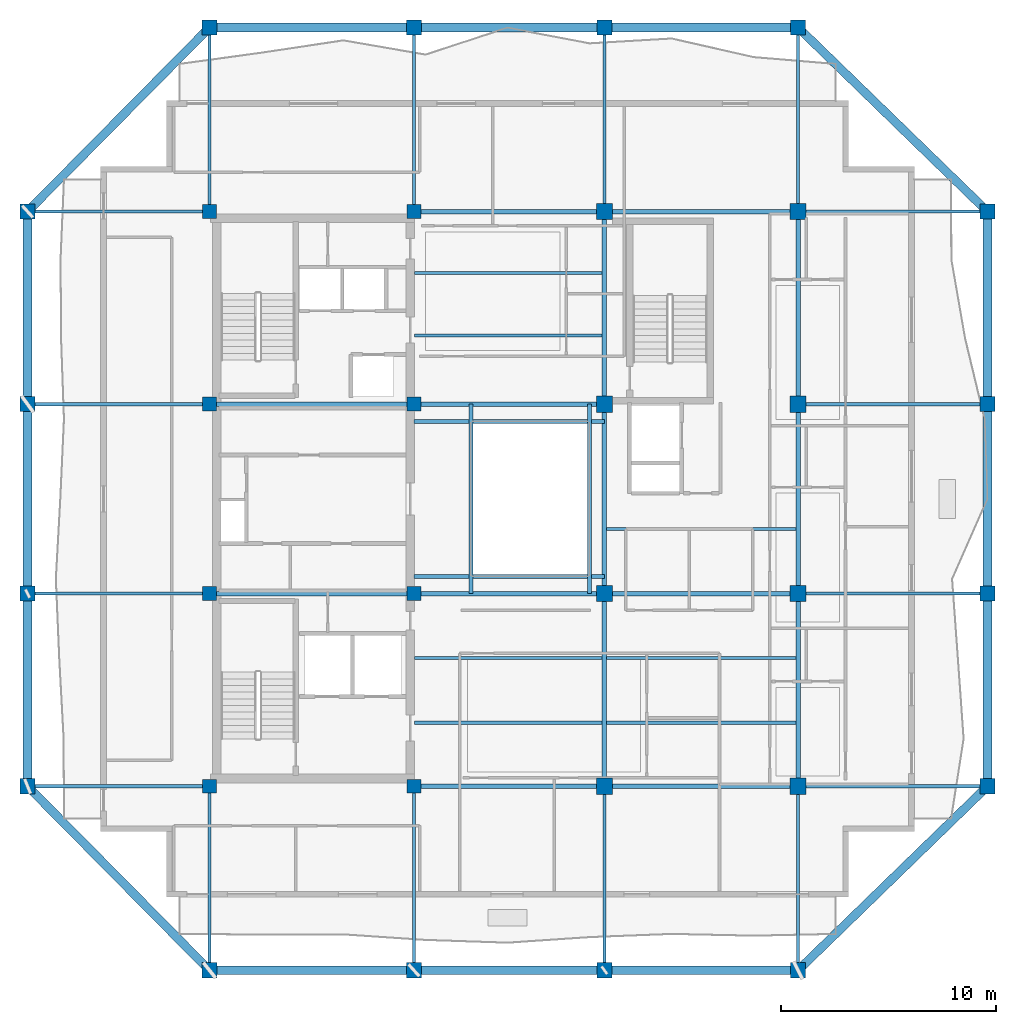
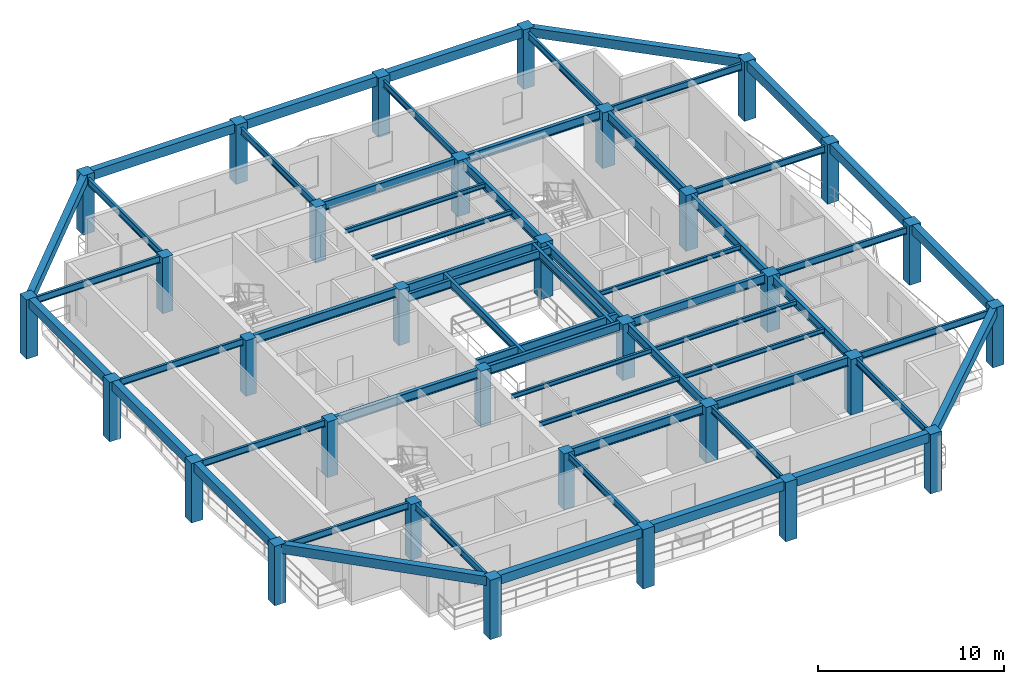
# One storey, part 1 of 10: 58 beams, 32 columns.
"""IFC4 building model written with IfcOpenShell, lengths in metres."""

from ifc_helpers import new_model, si_unit, direction, frame, origin, origin_2d, place, context, subcontext, project, spatial, rectangle, i_section, extrude, material, material_profile, profile_set, type_object, element, save


model = new_model("IFC4")

# Units and contexts
model_context = context("Model", 3, precision=1e-05, world=origin(), true_north=direction((0.0, 1.0)))
body_context = subcontext(model_context, "Body", "Model", "MODEL_VIEW")
ifc_project = project(units=[si_unit("LENGTHUNIT", "METRE"), si_unit("AREAUNIT", "SQUARE_METRE"), si_unit("VOLUMEUNIT", "CUBIC_METRE"), si_unit("PLANEANGLEUNIT", "RADIAN"), si_unit("MASSUNIT", "GRAM", prefix="KILO")], contexts=[model_context])

# Site, building, storey
site_placement = place(None, origin())
site = spatial("IfcSite", under=ifc_project, at=site_placement, CompositionType="ELEMENT")
building_placement = place(site_placement, origin())
building = spatial("IfcBuilding", under=site, at=building_placement, Name="Kundavana Baori Tower", CompositionType="ELEMENT")
storey_placement = place(building_placement, frame((0.0, 0.0, 288.199951171875)))
storey = spatial("IfcBuildingStorey", under=building, at=storey_placement, Name="L71", CompositionType="ELEMENT", Elevation=288.199951171875)

# Columns
ifc_material_1 = material(Name="Concrete C50/60", Category="concrete")
ifc_material_profile_1 = material_profile(ifc_material_1, rectangle(XDim=0.699951171875, YDim=0.699951171875, at=origin_2d()), Name="RC PF 700x700")
ifc_profile_set_1 = profile_set([ifc_material_profile_1], Name="Concrete C50/60")
column_type_1 = type_object("IfcColumnType", Name="COL-PF-700", PredefinedType="COLUMN", material=ifc_profile_set_1)
for number, where, z_axis, x_axis, name in (
    (1, (15.449951171875, 6.699951171875, 0.0), (0.0, 0.0, 1.0), (1.0, 0.0, 0.0), "L71 Stone-Clad Perimeter Frame Column PF-S1"),
    (2, (15.449951171875, 50.5, 0.0), (0.0, 0.0, 1.0), (1.0, 0.0, 0.0), "L71 Stone-Clad Perimeter Frame Column PF-N1"),
    (3, (24.949951171875, 6.699951171875, 0.0), (0.0, 0.0, 1.0), (1.0, 0.0, 0.0), "L71 Stone-Clad Perimeter Frame Column PF-S2"),
    (4, (24.949951171875, 50.5, 0.0), (0.0, 0.0, 1.0), (1.0, 0.0, 0.0), "L71 Stone-Clad Perimeter Frame Column PF-N2"),
    (5, (33.800048828125, 6.699951171875, 0.0), (0.0, 0.0, 1.0), (1.0, 0.0, 0.0), "L71 Stone-Clad Perimeter Frame Column PF-S3"),
    (6, (33.800048828125, 50.5, 0.0), (0.0, 0.0, 1.0), (1.0, 0.0, 0.0), "L71 Stone-Clad Perimeter Frame Column PF-N3"),
    (7, (42.800048828125, 6.699951171875, 0.0), (0.0, 0.0, 1.0), (1.0, 0.0, 0.0), "L71 Stone-Clad Perimeter Frame Column PF-S4"),
    (8, (42.800048828125, 50.5, 0.0), (0.0, 0.0, 1.0), (1.0, 0.0, 0.0), "L71 Stone-Clad Perimeter Frame Column PF-N4"),
    (9, (7.0, 15.25, 0.0), (0.0, 0.0, 1.0), (1.0, 0.0, 0.0), "L71 Stone-Clad Perimeter Frame Column PF-W1"),
    (10, (51.60009765625, 15.25, 0.0), (0.0, 0.0, 1.0), (1.0, 0.0, 0.0), "L71 Stone-Clad Perimeter Frame Column PF-E1"),
    (11, (7.0, 24.199951171875, 0.0), (0.0, 0.0, 1.0), (1.0, 0.0, 0.0), "L71 Stone-Clad Perimeter Frame Column PF-W2"),
    (12, (51.60009765625, 24.199951171875, 0.0), (0.0, 0.0, 1.0), (1.0, 0.0, 0.0), "L71 Stone-Clad Perimeter Frame Column PF-E2"),
    (13, (7.0, 33.0, 0.0), (0.0, 0.0, 1.0), (1.0, 0.0, 0.0), "L71 Stone-Clad Perimeter Frame Column PF-W3"),
    (14, (51.60009765625, 33.0, 0.0), (0.0, 0.0, 1.0), (1.0, 0.0, 0.0), "L71 Stone-Clad Perimeter Frame Column PF-E3"),
    (15, (7.0, 41.949951171875, 0.0), (0.0, 0.0, 1.0), (1.0, 0.0, 0.0), "L71 Stone-Clad Perimeter Frame Column PF-W4"),
    (16, (51.60009765625, 41.949951171875, 0.0), (0.0, 0.0, 1.0), (1.0, 0.0, 0.0), "L71 Stone-Clad Perimeter Frame Column PF-E4"),
):
    element("IfcColumn", number, at=place(storey_placement, frame(where, z_axis=z_axis, x_axis=x_axis)), inside=storey, type_object=column_type_1, Name=name, PredefinedType="COLUMN", context=body_context, shape_type="SweptSolid", body=[
        extrude(rectangle(XDim=0.699951171875, YDim=0.699951171875, at=origin_2d()), origin(), (0.0, 0.0, 1.0), 3.900146484375),
    ])
ifc_material_2 = material(Name="Concrete C50/60", Category="concrete")
ifc_material_profile_2 = material_profile(ifc_material_2, rectangle(XDim=0.64990234375, YDim=0.64990234375, at=origin_2d()), Name="RC 650x650")
ifc_profile_set_2 = profile_set([ifc_material_profile_2], Name="Concrete C50/60")
column_type_2 = type_object("IfcColumnType", Name="COL-RC-650", PredefinedType="COLUMN", material=ifc_profile_set_2)
for number, where, z_axis, x_axis, name in (
    (17, (15.449951171875, 15.25, 0.0), (0.0, 0.0, 1.0), (1.0, 0.0, 0.0), "L71 Interior Column IC-3C"),
    (18, (15.449951171875, 24.199951171875, 0.0), (0.0, 0.0, 1.0), (1.0, 0.0, 0.0), "L71 Interior Column IC-3D"),
    (19, (15.449951171875, 33.0, 0.0), (0.0, 0.0, 1.0), (1.0, 0.0, 0.0), "L71 Interior Column IC-3E"),
    (20, (15.449951171875, 41.949951171875, 0.0), (0.0, 0.0, 1.0), (1.0, 0.0, 0.0), "L71 Interior Column IC-3F"),
    (21, (24.949951171875, 15.25, 0.0), (0.0, 0.0, 1.0), (1.0, 0.0, 0.0), "L71 Interior Column IC-4C"),
    (22, (24.949951171875, 24.199951171875, 0.0), (0.0, 0.0, 1.0), (1.0, 0.0, 0.0), "L71 Interior Column IC-4D"),
    (23, (24.949951171875, 33.0, 0.0), (0.0, 0.0, 1.0), (1.0, 0.0, 0.0), "L71 Interior Column IC-4E"),
    (24, (24.949951171875, 41.949951171875, 0.0), (0.0, 0.0, 1.0), (1.0, 0.0, 0.0), "L71 Interior Column IC-4F"),
):
    element("IfcColumn", number, at=place(storey_placement, frame(where, z_axis=z_axis, x_axis=x_axis)), inside=storey, type_object=column_type_2, Name=name, PredefinedType="COLUMN", context=body_context, shape_type="SweptSolid", body=[
        extrude(rectangle(XDim=0.64990234375, YDim=0.64990234375, at=origin_2d()), origin(), (0.0, 0.0, 1.0), 3.66015625),
    ])
ifc_material_3 = material(Name="Concrete C50/60", Category="concrete")
ifc_material_profile_3 = material_profile(ifc_material_3, rectangle(XDim=0.75, YDim=0.75, at=origin_2d()), Name="RC 750x750")
ifc_profile_set_3 = profile_set([ifc_material_profile_3], Name="Concrete C50/60")
column_type_3 = type_object("IfcColumnType", Name="COL-RC-750", PredefinedType="COLUMN", material=ifc_profile_set_3)
for number, where, z_axis, x_axis, name in (
    (25, (33.800048828125, 15.25, 0.0), (0.0, 0.0, 1.0), (1.0, 0.0, 0.0), "L71 Interior Column IC-5C"),
    (26, (33.800048828125, 24.199951171875, 0.0), (0.0, 0.0, 1.0), (1.0, 0.0, 0.0), "L71 Interior Column IC-5D"),
    (27, (33.800048828125, 33.0, 0.0), (0.0, 0.0, 1.0), (1.0, 0.0, 0.0), "L71 Interior Column IC-5E"),
    (28, (33.800048828125, 41.949951171875, 0.0), (0.0, 0.0, 1.0), (1.0, 0.0, 0.0), "L71 Interior Column IC-5F"),
    (29, (42.800048828125, 15.25, 0.0), (0.0, 0.0, 1.0), (1.0, 0.0, 0.0), "L71 Interior Column IC-6C"),
    (30, (42.800048828125, 24.199951171875, 0.0), (0.0, 0.0, 1.0), (1.0, 0.0, 0.0), "L71 Interior Column IC-6D"),
    (31, (42.800048828125, 33.0, 0.0), (0.0, 0.0, 1.0), (1.0, 0.0, 0.0), "L71 Interior Column IC-6E"),
    (32, (42.800048828125, 41.949951171875, 0.0), (0.0, 0.0, 1.0), (1.0, 0.0, 0.0), "L71 Interior Column IC-6F"),
):
    element("IfcColumn", number, at=place(storey_placement, frame(where, z_axis=z_axis, x_axis=x_axis)), inside=storey, type_object=column_type_3, Name=name, PredefinedType="COLUMN", context=body_context, shape_type="SweptSolid", body=[
        extrude(rectangle(XDim=0.75, YDim=0.75, at=origin_2d()), origin(), (0.0, 0.0, 1.0), 3.66015625),
    ])

# Beams
ifc_material_4 = material(Name="Concrete C50/60", Category="concrete")
ifc_material_profile_4 = material_profile(ifc_material_4, rectangle(XDim=0.39990234375, YDim=0.60009765625, at=origin_2d()), Name="RC BM 400x600")
ifc_profile_set_4 = profile_set([ifc_material_profile_4], Name="Concrete C50/60")
beam_type_1 = type_object("IfcBeamType", Name="BM-PF-600", PredefinedType="SPANDREL", material=ifc_profile_set_4)
beam_1_placement = place(storey_placement, frame((15.449951171875, 6.699951171875, 3.60009765625), z_axis=(1.0, 0.0, 0.0), x_axis=(0.0, 1.0, 0.0)))
element("IfcBeam", 33, at=beam_1_placement, inside=storey, type_object=beam_type_1, Name="L71 Perimeter Frame Ring Beam S1", PredefinedType="SPANDREL", context=body_context, shape_type="SweptSolid", body=[
    extrude(rectangle(XDim=0.39990234375, YDim=0.60009765625, at=origin_2d()), origin(), (0.0, 0.0, 1.0), 9.5),
])
beam_2_placement = place(storey_placement, frame((24.949951171875, 6.699951171875, 3.60009765625), z_axis=(1.0, 0.0, 0.0), x_axis=(0.0, 1.0, 0.0)))
element("IfcBeam", 34, at=beam_2_placement, inside=storey, type_object=beam_type_1, Name="L71 Perimeter Frame Ring Beam S2", PredefinedType="SPANDREL", context=body_context, shape_type="SweptSolid", body=[
    extrude(rectangle(XDim=0.39990234375, YDim=0.60009765625, at=origin_2d()), origin(), (0.0, 0.0, 1.0), 8.85009765625),
])
beam_3_placement = place(storey_placement, frame((33.800048828125, 6.699951171875, 3.60009765625), z_axis=(1.0, 0.0, 0.0), x_axis=(0.0, 1.0, 0.0)))
element("IfcBeam", 35, at=beam_3_placement, inside=storey, type_object=beam_type_1, Name="L71 Perimeter Frame Ring Beam S3", PredefinedType="SPANDREL", context=body_context, shape_type="SweptSolid", body=[
    extrude(rectangle(XDim=0.39990234375, YDim=0.60009765625, at=origin_2d()), origin(), (0.0, 0.0, 1.0), 9.0),
])
beam_4_placement = place(storey_placement, frame((15.449951171875, 50.5, 3.60009765625), z_axis=(1.0, 0.0, 0.0), x_axis=(0.0, 1.0, 0.0)))
element("IfcBeam", 36, at=beam_4_placement, inside=storey, type_object=beam_type_1, Name="L71 Perimeter Frame Ring Beam N1", PredefinedType="SPANDREL", context=body_context, shape_type="SweptSolid", body=[
    extrude(rectangle(XDim=0.39990234375, YDim=0.60009765625, at=origin_2d()), origin(), (0.0, 0.0, 1.0), 9.5),
])
beam_5_placement = place(storey_placement, frame((24.949951171875, 50.5, 3.60009765625), z_axis=(1.0, 0.0, 0.0), x_axis=(0.0, 1.0, 0.0)))
element("IfcBeam", 37, at=beam_5_placement, inside=storey, type_object=beam_type_1, Name="L71 Perimeter Frame Ring Beam N2", PredefinedType="SPANDREL", context=body_context, shape_type="SweptSolid", body=[
    extrude(rectangle(XDim=0.39990234375, YDim=0.60009765625, at=origin_2d()), origin(), (0.0, 0.0, 1.0), 8.85009765625),
])
beam_6_placement = place(storey_placement, frame((33.800048828125, 50.5, 3.60009765625), z_axis=(1.0, 0.0, 0.0), x_axis=(0.0, 1.0, 0.0)))
element("IfcBeam", 38, at=beam_6_placement, inside=storey, type_object=beam_type_1, Name="L71 Perimeter Frame Ring Beam N3", PredefinedType="SPANDREL", context=body_context, shape_type="SweptSolid", body=[
    extrude(rectangle(XDim=0.39990234375, YDim=0.60009765625, at=origin_2d()), origin(), (0.0, 0.0, 1.0), 9.0),
])
beam_7_placement = place(storey_placement, frame((7.0, 15.25, 3.60009765625), z_axis=(0.0, 1.0, 0.0), x_axis=(-1.0, 0.0, 0.0)))
element("IfcBeam", 39, at=beam_7_placement, inside=storey, type_object=beam_type_1, Name="L71 Perimeter Frame Ring Beam W1", PredefinedType="SPANDREL", context=body_context, shape_type="SweptSolid", body=[
    extrude(rectangle(XDim=0.39990234375, YDim=0.60009765625, at=origin_2d()), origin(), (0.0, 0.0, 1.0), 8.949951171875),
])
beam_8_placement = place(storey_placement, frame((7.0, 24.199951171875, 3.60009765625), z_axis=(0.0, 1.0, 0.0), x_axis=(-1.0, 0.0, 0.0)))
element("IfcBeam", 40, at=beam_8_placement, inside=storey, type_object=beam_type_1, Name="L71 Perimeter Frame Ring Beam W2", PredefinedType="SPANDREL", context=body_context, shape_type="SweptSolid", body=[
    extrude(rectangle(XDim=0.39990234375, YDim=0.60009765625, at=origin_2d()), origin(), (0.0, 0.0, 1.0), 8.800048828125),
])
for number, where, z_axis, x_axis, name in (
    (41, (7.0, 33.0, 3.60009765625), (0.0, 1.0, 0.0), (-1.0, 0.0, 0.0), "L71 Perimeter Frame Ring Beam W3"),
    (42, (51.60009765625, 15.25, 3.60009765625), (0.0, 1.0, 0.0), (-1.0, 0.0, 0.0), "L71 Perimeter Frame Ring Beam E1"),
):
    element("IfcBeam", number, at=place(storey_placement, frame(where, z_axis=z_axis, x_axis=x_axis)), inside=storey, type_object=beam_type_1, Name=name, PredefinedType="SPANDREL", context=body_context, shape_type="SweptSolid", body=[
        extrude(rectangle(XDim=0.39990234375, YDim=0.60009765625, at=origin_2d()), origin(), (0.0, 0.0, 1.0), 8.949951171875),
    ])
beam_9_placement = place(storey_placement, frame((51.60009765625, 24.199951171875, 3.60009765625), z_axis=(0.0, 1.0, 0.0), x_axis=(-1.0, 0.0, 0.0)))
element("IfcBeam", 43, at=beam_9_placement, inside=storey, type_object=beam_type_1, Name="L71 Perimeter Frame Ring Beam E2", PredefinedType="SPANDREL", context=body_context, shape_type="SweptSolid", body=[
    extrude(rectangle(XDim=0.39990234375, YDim=0.60009765625, at=origin_2d()), origin(), (0.0, 0.0, 1.0), 8.800048828125),
])
beam_10_placement = place(storey_placement, frame((51.60009765625, 33.0, 3.60009765625), z_axis=(0.0, 1.0, 0.0), x_axis=(-1.0, 0.0, 0.0)))
element("IfcBeam", 44, at=beam_10_placement, inside=storey, type_object=beam_type_1, Name="L71 Perimeter Frame Ring Beam E3", PredefinedType="SPANDREL", context=body_context, shape_type="SweptSolid", body=[
    extrude(rectangle(XDim=0.39990234375, YDim=0.60009765625, at=origin_2d()), origin(), (0.0, 0.0, 1.0), 8.949951171875),
])
beam_11_placement = place(storey_placement, frame((15.449951171875, 6.699951171875, 3.60009765625), z_axis=(-0.702931082472, 0.711257965365, 0.0), x_axis=(-0.711257965365, -0.702931082472, 0.0)))
element("IfcBeam", 45, at=beam_11_placement, inside=storey, type_object=beam_type_1, Name="L71 Notched Corner Perimeter Beam SW", PredefinedType="SPANDREL", context=body_context, shape_type="SweptSolid", body=[
    extrude(rectangle(XDim=0.39990234375, YDim=0.60009765625, at=origin_2d()), origin(), (0.0, 0.0, 1.0), 12.02099609375),
])
beam_12_placement = place(storey_placement, frame((42.800048828125, 6.699951171875, 3.60009765625), z_axis=(0.717221130298, 0.696845643062, 0.0), x_axis=(-0.696845643062, 0.717221130298, 0.0)))
element("IfcBeam", 46, at=beam_12_placement, inside=storey, type_object=beam_type_1, Name="L71 Notched Corner Perimeter Beam SE", PredefinedType="SPANDREL", context=body_context, shape_type="SweptSolid", body=[
    extrude(rectangle(XDim=0.39990234375, YDim=0.60009765625, at=origin_2d()), origin(), (0.0, 0.0, 1.0), 12.26953125),
])
beam_13_placement = place(storey_placement, frame((15.449951171875, 50.5, 3.60009765625), z_axis=(-0.702931082472, -0.711257965365, 0.0), x_axis=(0.711257965365, -0.702931082472, 0.0)))
element("IfcBeam", 47, at=beam_13_placement, inside=storey, type_object=beam_type_1, Name="L71 Notched Corner Perimeter Beam NW", PredefinedType="SPANDREL", context=body_context, shape_type="SweptSolid", body=[
    extrude(rectangle(XDim=0.39990234375, YDim=0.60009765625, at=origin_2d()), origin(), (0.0, 0.0, 1.0), 12.02099609375),
])
beam_14_placement = place(storey_placement, frame((42.800048828125, 50.5, 3.60009765625), z_axis=(0.717221130298, -0.696845643062, 0.0), x_axis=(0.696845643062, 0.717221130298, 0.0)))
element("IfcBeam", 48, at=beam_14_placement, inside=storey, type_object=beam_type_1, Name="L71 Notched Corner Perimeter Beam NE", PredefinedType="SPANDREL", context=body_context, shape_type="SweptSolid", body=[
    extrude(rectangle(XDim=0.39990234375, YDim=0.60009765625, at=origin_2d()), origin(), (0.0, 0.0, 1.0), 12.26953125),
])
ifc_material_5 = material(Name="Structural Steel S355JR", Category="steel")
ifc_material_profile_5 = material_profile(ifc_material_5, i_section(OverallWidth=0.139892578125, OverallDepth=0.300048828125, WebThickness=0.0078125, FlangeThickness=0.01318359375, FilletRadius=0.013916015625, at=origin_2d()), Name="ISMB 300")
ifc_profile_set_5 = profile_set([ifc_material_profile_5], Name="Structural Steel S355JR")
beam_type_2 = type_object("IfcBeamType", Name="BM-RF-300", PredefinedType="BEAM", material=ifc_profile_set_5)
for number, where, z_axis, x_axis, name in (
    (49, (24.97998046875, 18.199951171875, 3.510009765625), (1.0, 0.0, 0.0), (0.0, 1.0, 0.0), "L71 Central Bay Composite Floor Joist C1"),
    (50, (24.97998046875, 21.199951171875, 3.510009765625), (1.0, 0.0, 0.0), (0.0, 1.0, 0.0), "L71 Central Bay Composite Floor Joist C2"),
    (51, (24.97998046875, 36.199951171875, 3.510009765625), (1.0, 0.0, 0.0), (0.0, 1.0, 0.0), "L71 Central Bay Composite Floor Joist C3"),
    (52, (24.97998046875, 39.10009765625, 3.510009765625), (1.0, 0.0, 0.0), (0.0, 1.0, 0.0), "L71 Central Bay Composite Floor Joist C4"),
):
    element("IfcBeam", number, at=place(storey_placement, frame(where, z_axis=z_axis, x_axis=x_axis)), inside=storey, type_object=beam_type_2, Name=name, PredefinedType="BEAM", context=body_context, shape_type="SweptSolid", body=[
        extrude(i_section(OverallWidth=0.139892578125, OverallDepth=0.300048828125, WebThickness=0.0078125, FlangeThickness=0.01318359375, FilletRadius=0.013916015625, at=origin_2d()), origin(), (0.0, 0.0, 1.0), 8.715087890625),
    ])
for number, where, z_axis, x_axis, name in (
    (53, (33.905029296875, 18.199951171875, 3.510009765625), (1.0, 0.0, 0.0), (0.0, 1.0, 0.0), "L71 East Bay Composite Floor Joist E1"),
    (54, (33.905029296875, 21.199951171875, 3.510009765625), (1.0, 0.0, 0.0), (0.0, 1.0, 0.0), "L71 East Bay Composite Floor Joist E2"),
    (55, (33.905029296875, 27.199951171875, 3.510009765625), (1.0, 0.0, 0.0), (0.0, 1.0, 0.0), "L71 East Bay Composite Floor Joist E3"),
):
    element("IfcBeam", number, at=place(storey_placement, frame(where, z_axis=z_axis, x_axis=x_axis)), inside=storey, type_object=beam_type_2, Name=name, PredefinedType="BEAM", context=body_context, shape_type="SweptSolid", body=[
        extrude(i_section(OverallWidth=0.139892578125, OverallDepth=0.300048828125, WebThickness=0.0078125, FlangeThickness=0.01318359375, FilletRadius=0.013916015625, at=origin_2d()), origin(), (0.0, 0.0, 1.0), 8.7900390625),
    ])
ifc_material_6 = material(Name="Structural Steel S355JR", Category="steel")
ifc_material_profile_6 = material_profile(ifc_material_6, i_section(OverallWidth=0.18994140625, OverallDepth=0.550048828125, WebThickness=0.01123046875, FlangeThickness=0.019287109375, FilletRadius=0.01806640625, at=origin_2d()), Name="ISMB 550")
ifc_profile_set_6 = profile_set([ifc_material_profile_6], Name="Structural Steel S355JR")
beam_type_3 = type_object("IfcBeamType", Name="BM-ST-550", PredefinedType="BEAM", material=ifc_profile_set_6)
for number, where, z_axis, x_axis, name in (
    (56, (27.60009765625, 24.199951171875, 3.385009765625), (0.0, 1.0, 0.0), (-1.0, 0.0, 0.0), "L71 Atrium West Edge Beam"),
    (57, (33.10009765625, 24.199951171875, 3.385009765625), (0.0, 1.0, 0.0), (-1.0, 0.0, 0.0), "L71 Atrium East Edge Beam"),
):
    element("IfcBeam", number, at=place(storey_placement, frame(where, z_axis=z_axis, x_axis=x_axis)), inside=storey, type_object=beam_type_3, Name=name, PredefinedType="BEAM", context=body_context, shape_type="SweptSolid", body=[
        extrude(i_section(OverallWidth=0.18994140625, OverallDepth=0.550048828125, WebThickness=0.01123046875, FlangeThickness=0.019287109375, FilletRadius=0.01806640625, at=origin_2d()), origin(), (0.0, 0.0, 1.0), 8.800048828125),
    ])
for number, where, z_axis, x_axis, name in (
    (58, (24.949951171875, 25.0, 3.385009765625), (1.0, 0.0, 0.0), (0.0, 1.0, 0.0), "L71 Atrium South Edge Beam"),
    (59, (24.949951171875, 32.199951171875, 3.385009765625), (1.0, 0.0, 0.0), (0.0, 1.0, 0.0), "L71 Atrium North Edge Beam"),
):
    element("IfcBeam", number, at=place(storey_placement, frame(where, z_axis=z_axis, x_axis=x_axis)), inside=storey, type_object=beam_type_3, Name=name, PredefinedType="BEAM", context=body_context, shape_type="SweptSolid", body=[
        extrude(i_section(OverallWidth=0.18994140625, OverallDepth=0.550048828125, WebThickness=0.01123046875, FlangeThickness=0.019287109375, FilletRadius=0.01806640625, at=origin_2d()), origin(), (0.0, 0.0, 1.0), 8.85009765625),
    ])
ifc_material_7 = material(Name="Structural Steel S355JR", Category="steel")
ifc_material_profile_7 = material_profile(ifc_material_7, i_section(OverallWidth=0.2099609375, OverallDepth=0.60009765625, WebThickness=0.011962890625, FlangeThickness=0.020751953125, FilletRadius=0.02001953125, at=origin_2d()), Name="ISMB 600")
ifc_profile_set_7 = profile_set([ifc_material_profile_7], Name="Structural Steel S355JR")
beam_type_4 = type_object("IfcBeamType", Name="BM-ST-600", PredefinedType="BEAM", material=ifc_profile_set_7)
beam_15_placement = place(storey_placement, frame((24.949951171875, 15.25, 3.360107421875), z_axis=(1.0, 0.0, 0.0), x_axis=(0.0, 1.0, 0.0)))
element("IfcBeam", 60, at=beam_15_placement, inside=storey, type_object=beam_type_4, Name="L71 Primary Grid Girder GX-1-2", PredefinedType="BEAM", context=body_context, shape_type="SweptSolid", body=[
    extrude(i_section(OverallWidth=0.2099609375, OverallDepth=0.60009765625, WebThickness=0.011962890625, FlangeThickness=0.020751953125, FilletRadius=0.02001953125, at=origin_2d()), origin(), (0.0, 0.0, 1.0), 8.85009765625),
])
beam_16_placement = place(storey_placement, frame((33.800048828125, 15.25, 3.360107421875), z_axis=(1.0, 0.0, 0.0), x_axis=(0.0, 1.0, 0.0)))
element("IfcBeam", 61, at=beam_16_placement, inside=storey, type_object=beam_type_4, Name="L71 Primary Grid Girder GX-1-3", PredefinedType="BEAM", context=body_context, shape_type="SweptSolid", body=[
    extrude(i_section(OverallWidth=0.2099609375, OverallDepth=0.60009765625, WebThickness=0.011962890625, FlangeThickness=0.020751953125, FilletRadius=0.02001953125, at=origin_2d()), origin(), (0.0, 0.0, 1.0), 9.0),
])
beam_17_placement = place(storey_placement, frame((15.449951171875, 24.199951171875, 3.360107421875), z_axis=(1.0, 0.0, 0.0), x_axis=(0.0, 1.0, 0.0)))
element("IfcBeam", 62, at=beam_17_placement, inside=storey, type_object=beam_type_4, Name="L71 Primary Grid Girder GX-2-1", PredefinedType="BEAM", context=body_context, shape_type="SweptSolid", body=[
    extrude(i_section(OverallWidth=0.2099609375, OverallDepth=0.60009765625, WebThickness=0.011962890625, FlangeThickness=0.020751953125, FilletRadius=0.02001953125, at=origin_2d()), origin(), (0.0, 0.0, 1.0), 9.5),
])
beam_18_placement = place(storey_placement, frame((24.949951171875, 24.199951171875, 3.360107421875), z_axis=(1.0, 0.0, 0.0), x_axis=(0.0, 1.0, 0.0)))
element("IfcBeam", 63, at=beam_18_placement, inside=storey, type_object=beam_type_4, Name="L71 Primary Grid Girder GX-2-2", PredefinedType="BEAM", context=body_context, shape_type="SweptSolid", body=[
    extrude(i_section(OverallWidth=0.2099609375, OverallDepth=0.60009765625, WebThickness=0.011962890625, FlangeThickness=0.020751953125, FilletRadius=0.02001953125, at=origin_2d()), origin(), (0.0, 0.0, 1.0), 8.85009765625),
])
beam_19_placement = place(storey_placement, frame((33.800048828125, 24.199951171875, 3.360107421875), z_axis=(1.0, 0.0, 0.0), x_axis=(0.0, 1.0, 0.0)))
element("IfcBeam", 64, at=beam_19_placement, inside=storey, type_object=beam_type_4, Name="L71 Primary Grid Girder GX-2-3", PredefinedType="BEAM", context=body_context, shape_type="SweptSolid", body=[
    extrude(i_section(OverallWidth=0.2099609375, OverallDepth=0.60009765625, WebThickness=0.011962890625, FlangeThickness=0.020751953125, FilletRadius=0.02001953125, at=origin_2d()), origin(), (0.0, 0.0, 1.0), 9.0),
])
beam_20_placement = place(storey_placement, frame((15.449951171875, 33.0, 3.360107421875), z_axis=(1.0, 0.0, 0.0), x_axis=(0.0, 1.0, 0.0)))
element("IfcBeam", 65, at=beam_20_placement, inside=storey, type_object=beam_type_4, Name="L71 Primary Grid Girder GX-3-1", PredefinedType="BEAM", context=body_context, shape_type="SweptSolid", body=[
    extrude(i_section(OverallWidth=0.2099609375, OverallDepth=0.60009765625, WebThickness=0.011962890625, FlangeThickness=0.020751953125, FilletRadius=0.02001953125, at=origin_2d()), origin(), (0.0, 0.0, 1.0), 9.5),
])
for number, where, z_axis, x_axis, name in (
    (66, (24.949951171875, 33.0, 3.360107421875), (1.0, 0.0, 0.0), (0.0, 1.0, 0.0), "L71 Primary Grid Girder GX-3-2"),
    (67, (24.949951171875, 41.949951171875, 3.360107421875), (1.0, 0.0, 0.0), (0.0, 1.0, 0.0), "L71 Primary Grid Girder GX-4-2"),
):
    element("IfcBeam", number, at=place(storey_placement, frame(where, z_axis=z_axis, x_axis=x_axis)), inside=storey, type_object=beam_type_4, Name=name, PredefinedType="BEAM", context=body_context, shape_type="SweptSolid", body=[
        extrude(i_section(OverallWidth=0.2099609375, OverallDepth=0.60009765625, WebThickness=0.011962890625, FlangeThickness=0.020751953125, FilletRadius=0.02001953125, at=origin_2d()), origin(), (0.0, 0.0, 1.0), 8.85009765625),
    ])
beam_21_placement = place(storey_placement, frame((33.800048828125, 41.949951171875, 3.360107421875), z_axis=(1.0, 0.0, 0.0), x_axis=(0.0, 1.0, 0.0)))
element("IfcBeam", 68, at=beam_21_placement, inside=storey, type_object=beam_type_4, Name="L71 Primary Grid Girder GX-4-3", PredefinedType="BEAM", context=body_context, shape_type="SweptSolid", body=[
    extrude(i_section(OverallWidth=0.2099609375, OverallDepth=0.60009765625, WebThickness=0.011962890625, FlangeThickness=0.020751953125, FilletRadius=0.02001953125, at=origin_2d()), origin(), (0.0, 0.0, 1.0), 9.0),
])
beam_22_placement = place(storey_placement, frame((33.800048828125, 15.25, 3.360107421875), z_axis=(0.0, 1.0, 0.0), x_axis=(-1.0, 0.0, 0.0)))
element("IfcBeam", 69, at=beam_22_placement, inside=storey, type_object=beam_type_4, Name="L71 Primary Grid Girder GY-3-1", PredefinedType="BEAM", context=body_context, shape_type="SweptSolid", body=[
    extrude(i_section(OverallWidth=0.2099609375, OverallDepth=0.60009765625, WebThickness=0.011962890625, FlangeThickness=0.020751953125, FilletRadius=0.02001953125, at=origin_2d()), origin(), (0.0, 0.0, 1.0), 8.949951171875),
])
beam_23_placement = place(storey_placement, frame((33.800048828125, 24.199951171875, 3.360107421875), z_axis=(0.0, 1.0, 0.0), x_axis=(-1.0, 0.0, 0.0)))
element("IfcBeam", 70, at=beam_23_placement, inside=storey, type_object=beam_type_4, Name="L71 Primary Grid Girder GY-3-2", PredefinedType="BEAM", context=body_context, shape_type="SweptSolid", body=[
    extrude(i_section(OverallWidth=0.2099609375, OverallDepth=0.60009765625, WebThickness=0.011962890625, FlangeThickness=0.020751953125, FilletRadius=0.02001953125, at=origin_2d()), origin(), (0.0, 0.0, 1.0), 8.800048828125),
])
for number, where, z_axis, x_axis, name in (
    (71, (33.800048828125, 33.0, 3.360107421875), (0.0, 1.0, 0.0), (-1.0, 0.0, 0.0), "L71 Primary Grid Girder GY-3-3"),
    (72, (42.800048828125, 15.25, 3.360107421875), (0.0, 1.0, 0.0), (-1.0, 0.0, 0.0), "L71 Primary Grid Girder GY-4-1"),
):
    element("IfcBeam", number, at=place(storey_placement, frame(where, z_axis=z_axis, x_axis=x_axis)), inside=storey, type_object=beam_type_4, Name=name, PredefinedType="BEAM", context=body_context, shape_type="SweptSolid", body=[
        extrude(i_section(OverallWidth=0.2099609375, OverallDepth=0.60009765625, WebThickness=0.011962890625, FlangeThickness=0.020751953125, FilletRadius=0.02001953125, at=origin_2d()), origin(), (0.0, 0.0, 1.0), 8.949951171875),
    ])
beam_24_placement = place(storey_placement, frame((42.800048828125, 24.199951171875, 3.360107421875), z_axis=(0.0, 1.0, 0.0), x_axis=(-1.0, 0.0, 0.0)))
element("IfcBeam", 73, at=beam_24_placement, inside=storey, type_object=beam_type_4, Name="L71 Primary Grid Girder GY-4-2", PredefinedType="BEAM", context=body_context, shape_type="SweptSolid", body=[
    extrude(i_section(OverallWidth=0.2099609375, OverallDepth=0.60009765625, WebThickness=0.011962890625, FlangeThickness=0.020751953125, FilletRadius=0.02001953125, at=origin_2d()), origin(), (0.0, 0.0, 1.0), 8.800048828125),
])
beam_25_placement = place(storey_placement, frame((42.800048828125, 33.0, 3.360107421875), z_axis=(0.0, 1.0, 0.0), x_axis=(-1.0, 0.0, 0.0)))
element("IfcBeam", 74, at=beam_25_placement, inside=storey, type_object=beam_type_4, Name="L71 Primary Grid Girder GY-4-3", PredefinedType="BEAM", context=body_context, shape_type="SweptSolid", body=[
    extrude(i_section(OverallWidth=0.2099609375, OverallDepth=0.60009765625, WebThickness=0.011962890625, FlangeThickness=0.020751953125, FilletRadius=0.02001953125, at=origin_2d()), origin(), (0.0, 0.0, 1.0), 8.949951171875),
])
ifc_material_8 = material(Name="Structural Steel S355JR", Category="steel")
ifc_material_profile_8 = material_profile(ifc_material_8, i_section(OverallWidth=0.14990234375, OverallDepth=0.449951171875, WebThickness=0.009521484375, FlangeThickness=0.017333984375, FilletRadius=0.014892578125, at=origin_2d()), Name="ISMB 450")
ifc_profile_set_8 = profile_set([ifc_material_profile_8], Name="Structural Steel S355JR")
beam_type_5 = type_object("IfcBeamType", Name="BM-TIE-450", PredefinedType="BEAM", material=ifc_profile_set_8)
for number, where, z_axis, x_axis, name in (
    (75, (15.449951171875, 15.25, 3.43505859375), (0.0, -1.0, 0.0), (1.0, 0.0, 0.0), "L71 South Radial Loggia Tie Beam S1"),
    (76, (15.449951171875, 41.949951171875, 3.43505859375), (0.0, 1.0, 0.0), (-1.0, 0.0, 0.0), "L71 North Radial Loggia Tie Beam N1"),
    (77, (24.949951171875, 15.25, 3.43505859375), (0.0, -1.0, 0.0), (1.0, 0.0, 0.0), "L71 South Radial Loggia Tie Beam S2"),
    (78, (24.949951171875, 41.949951171875, 3.43505859375), (0.0, 1.0, 0.0), (-1.0, 0.0, 0.0), "L71 North Radial Loggia Tie Beam N2"),
    (79, (33.800048828125, 15.25, 3.43505859375), (0.0, -1.0, 0.0), (1.0, 0.0, 0.0), "L71 South Radial Loggia Tie Beam S3"),
    (80, (33.800048828125, 41.949951171875, 3.43505859375), (0.0, 1.0, 0.0), (-1.0, 0.0, 0.0), "L71 North Radial Loggia Tie Beam N3"),
    (81, (42.800048828125, 15.25, 3.43505859375), (0.0, -1.0, 0.0), (1.0, 0.0, 0.0), "L71 South Radial Loggia Tie Beam S4"),
    (82, (42.800048828125, 41.949951171875, 3.43505859375), (0.0, 1.0, 0.0), (-1.0, 0.0, 0.0), "L71 North Radial Loggia Tie Beam N4"),
):
    element("IfcBeam", number, at=place(storey_placement, frame(where, z_axis=z_axis, x_axis=x_axis)), inside=storey, type_object=beam_type_5, Name=name, PredefinedType="BEAM", context=body_context, shape_type="SweptSolid", body=[
        extrude(i_section(OverallWidth=0.14990234375, OverallDepth=0.449951171875, WebThickness=0.009521484375, FlangeThickness=0.017333984375, FilletRadius=0.014892578125, at=origin_2d()), origin(), (0.0, 0.0, 1.0), 8.550048828125),
    ])
beam_26_placement = place(storey_placement, frame((15.449951171875, 15.25, 3.43505859375), z_axis=(-1.0, 0.0, 0.0), x_axis=(0.0, -1.0, 0.0)))
element("IfcBeam", 83, at=beam_26_placement, inside=storey, type_object=beam_type_5, Name="L71 West Radial Loggia Tie Beam W1", PredefinedType="BEAM", context=body_context, shape_type="SweptSolid", body=[
    extrude(i_section(OverallWidth=0.14990234375, OverallDepth=0.449951171875, WebThickness=0.009521484375, FlangeThickness=0.017333984375, FilletRadius=0.014892578125, at=origin_2d()), origin(), (0.0, 0.0, 1.0), 8.449951171875),
])
beam_27_placement = place(storey_placement, frame((42.800048828125, 15.25, 3.43505859375), z_axis=(1.0, 0.0, 0.0), x_axis=(0.0, 1.0, 0.0)))
element("IfcBeam", 84, at=beam_27_placement, inside=storey, type_object=beam_type_5, Name="L71 East Radial Loggia Tie Beam E1", PredefinedType="BEAM", context=body_context, shape_type="SweptSolid", body=[
    extrude(i_section(OverallWidth=0.14990234375, OverallDepth=0.449951171875, WebThickness=0.009521484375, FlangeThickness=0.017333984375, FilletRadius=0.014892578125, at=origin_2d()), origin(), (0.0, 0.0, 1.0), 8.800048828125),
])
beam_28_placement = place(storey_placement, frame((15.449951171875, 24.199951171875, 3.43505859375), z_axis=(-1.0, 0.0, 0.0), x_axis=(0.0, -1.0, 0.0)))
element("IfcBeam", 85, at=beam_28_placement, inside=storey, type_object=beam_type_5, Name="L71 West Radial Loggia Tie Beam W2", PredefinedType="BEAM", context=body_context, shape_type="SweptSolid", body=[
    extrude(i_section(OverallWidth=0.14990234375, OverallDepth=0.449951171875, WebThickness=0.009521484375, FlangeThickness=0.017333984375, FilletRadius=0.014892578125, at=origin_2d()), origin(), (0.0, 0.0, 1.0), 8.449951171875),
])
beam_29_placement = place(storey_placement, frame((42.800048828125, 24.199951171875, 3.43505859375), z_axis=(1.0, 0.0, 0.0), x_axis=(0.0, 1.0, 0.0)))
element("IfcBeam", 86, at=beam_29_placement, inside=storey, type_object=beam_type_5, Name="L71 East Radial Loggia Tie Beam E2", PredefinedType="BEAM", context=body_context, shape_type="SweptSolid", body=[
    extrude(i_section(OverallWidth=0.14990234375, OverallDepth=0.449951171875, WebThickness=0.009521484375, FlangeThickness=0.017333984375, FilletRadius=0.014892578125, at=origin_2d()), origin(), (0.0, 0.0, 1.0), 8.800048828125),
])
beam_30_placement = place(storey_placement, frame((15.449951171875, 33.0, 3.43505859375), z_axis=(-1.0, 0.0, 0.0), x_axis=(0.0, -1.0, 0.0)))
element("IfcBeam", 87, at=beam_30_placement, inside=storey, type_object=beam_type_5, Name="L71 West Radial Loggia Tie Beam W3", PredefinedType="BEAM", context=body_context, shape_type="SweptSolid", body=[
    extrude(i_section(OverallWidth=0.14990234375, OverallDepth=0.449951171875, WebThickness=0.009521484375, FlangeThickness=0.017333984375, FilletRadius=0.014892578125, at=origin_2d()), origin(), (0.0, 0.0, 1.0), 8.449951171875),
])
beam_31_placement = place(storey_placement, frame((42.800048828125, 33.0, 3.43505859375), z_axis=(1.0, 0.0, 0.0), x_axis=(0.0, 1.0, 0.0)))
element("IfcBeam", 88, at=beam_31_placement, inside=storey, type_object=beam_type_5, Name="L71 East Radial Loggia Tie Beam E3", PredefinedType="BEAM", context=body_context, shape_type="SweptSolid", body=[
    extrude(i_section(OverallWidth=0.14990234375, OverallDepth=0.449951171875, WebThickness=0.009521484375, FlangeThickness=0.017333984375, FilletRadius=0.014892578125, at=origin_2d()), origin(), (0.0, 0.0, 1.0), 8.800048828125),
])
beam_32_placement = place(storey_placement, frame((15.449951171875, 41.949951171875, 3.43505859375), z_axis=(-1.0, 0.0, 0.0), x_axis=(0.0, -1.0, 0.0)))
element("IfcBeam", 89, at=beam_32_placement, inside=storey, type_object=beam_type_5, Name="L71 West Radial Loggia Tie Beam W4", PredefinedType="BEAM", context=body_context, shape_type="SweptSolid", body=[
    extrude(i_section(OverallWidth=0.14990234375, OverallDepth=0.449951171875, WebThickness=0.009521484375, FlangeThickness=0.017333984375, FilletRadius=0.014892578125, at=origin_2d()), origin(), (0.0, 0.0, 1.0), 8.449951171875),
])
beam_33_placement = place(storey_placement, frame((42.800048828125, 41.949951171875, 3.43505859375), z_axis=(1.0, 0.0, 0.0), x_axis=(0.0, 1.0, 0.0)))
element("IfcBeam", 90, at=beam_33_placement, inside=storey, type_object=beam_type_5, Name="L71 East Radial Loggia Tie Beam E4", PredefinedType="BEAM", context=body_context, shape_type="SweptSolid", body=[
    extrude(i_section(OverallWidth=0.14990234375, OverallDepth=0.449951171875, WebThickness=0.009521484375, FlangeThickness=0.017333984375, FilletRadius=0.014892578125, at=origin_2d()), origin(), (0.0, 0.0, 1.0), 8.800048828125),
])

save(model, "model.ifc")
